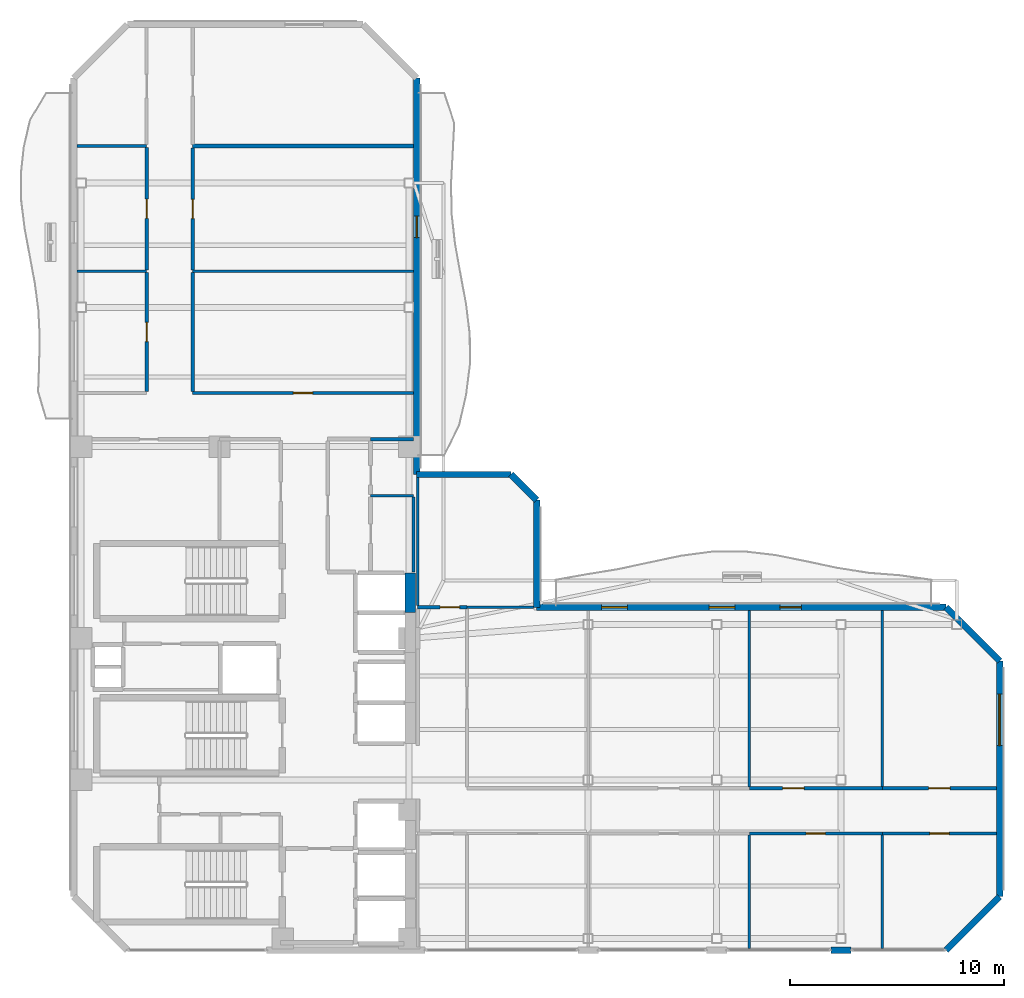
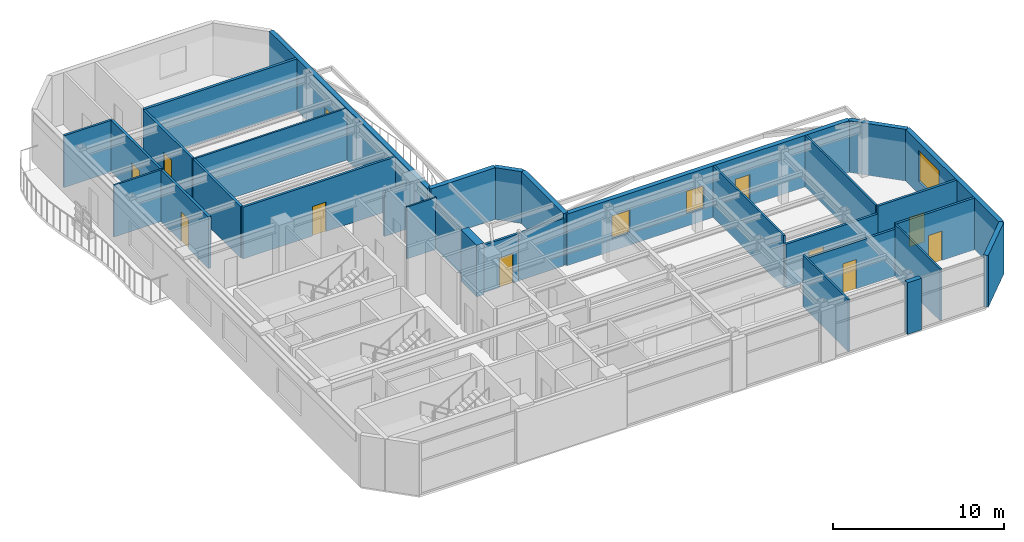
# One storey, part 11 of 16: 33 walls, 11 doors, 3 windows, 14 openings.
"""IFC4 building model written with IfcOpenShell, lengths in metres."""

from ifc_helpers import new_model, si_unit, direction, frame, frame_2d, origin, place, context, subcontext, project, spatial, rectangle, extrude, material, layer, layer_set, type_object, element, fill, save


model = new_model("IFC4")

# Units and contexts
model_context = context("Model", 3, precision=1e-05, world=origin(), true_north=direction((0.0, 1.0)))
body_context = subcontext(model_context, "Body", "Model", "MODEL_VIEW")
ifc_project = project(units=[si_unit("LENGTHUNIT", "METRE"), si_unit("AREAUNIT", "SQUARE_METRE"), si_unit("VOLUMEUNIT", "CUBIC_METRE"), si_unit("PLANEANGLEUNIT", "RADIAN"), si_unit("MASSUNIT", "GRAM", prefix="KILO")], contexts=[model_context])

# Site, building, storey
site_placement = place(None, origin())
site = spatial("IfcSite", under=ifc_project, at=site_placement, CompositionType="ELEMENT")
building_placement = place(site_placement, origin())
building = spatial("IfcBuilding", under=site, at=building_placement, Name="Mawjaban Terraces University", CompositionType="ELEMENT")
storey_placement = place(building_placement, frame((0.0, 0.0, 230.39990234375)))
storey = spatial("IfcBuildingStorey", under=building, at=storey_placement, Name="L56", CompositionType="ELEMENT", Elevation=230.39990234375)

# Walls
ifc_material_1 = material(Name="Acoustic masonry blockwork", Category="masonry")
ifc_layer_1 = layer(ifc_material_1, 0.179931640625)
ifc_layer_set_1 = layer_set([ifc_layer_1], Name="Acoustic masonry blockwork")
wall_type_1 = type_object("IfcWallType", Name="AcousticStudioWall_180", PredefinedType="PARTITIONING", material=ifc_layer_set_1)
wall_1_placement = place(storey_placement, frame((37.85009765625, 37.52001953125, 0.0), z_axis=(0.0, 0.0, 1.0), x_axis=(-1.0, 0.0, 0.0)))
element("IfcWall", 1, at=wall_1_placement, inside=storey, type_object=wall_type_1, Name="L56 Reading Salon 13 Partition 18", PredefinedType="PARTITIONING", context=body_context, shape_type="SweptSolid", body=[
    extrude(rectangle(XDim=10.300048828125, YDim=0.179931640625, at=frame_2d((5.14990234375, 0.0))), origin(), (0.0, 0.0, 1.0), 3.690185546875),
])
ifc_material_2 = material(Name="Concrete C60/75", Category="concrete")
ifc_layer_2 = layer(ifc_material_2, 0.5)
ifc_layer_set_2 = layer_set([ifc_layer_2], Name="Concrete C60/75")
wall_type_2 = type_object("IfcWallType", Name="CoreShearWall_500", PredefinedType="SHEAR", material=ifc_layer_set_2)
wall_2_placement = place(storey_placement, frame((37.699951171875, 15.75, 0.0), z_axis=(0.0, 0.0, 1.0), x_axis=(0.0, 1.0, 0.0)))
element("IfcWall", 2, at=wall_2_placement, inside=storey, type_object=wall_type_2, Name="L56 Lift OL-2 Hoistway Wall East", PredefinedType="SHEAR", context=body_context, shape_type="SweptSolid", body=[
    extrude(rectangle(XDim=1.85009765625, YDim=0.5, at=frame_2d((0.925048828125, 0.0))), origin(), (0.0, 0.0, 1.0), 3.690185546875),
])
ifc_material_3 = material(Name="Fire-rated gypsum board on steel stud", Category="steel")
ifc_layer_3 = layer(ifc_material_3, 0.159912109375)
ifc_layer_set_3 = layer_set([ifc_layer_3], Name="Fire-rated gypsum board on steel stud")
wall_type_3 = type_object("IfcWallType", Name="CorridorPartition_160", PredefinedType="PARTITIONING", material=ifc_layer_set_3)
wall_3_placement = place(storey_placement, frame((37.85009765625, 23.85009765625, 0.0), z_axis=(0.0, 0.0, 1.0), x_axis=(-1.0, 0.0, 0.0)))
element("IfcWall", 3, at=wall_3_placement, inside=storey, type_object=wall_type_3, Name="L56 Graduate Quiet Study Alcove Partition 15", PredefinedType="PARTITIONING", context=body_context, shape_type="SweptSolid", body=[
    extrude(rectangle(XDim=2.0, YDim=0.159912109375, at=frame_2d((1.0, 0.0))), origin(), (0.0, 0.0, 1.0), 3.13916015625),
])

# Wall, opening, door
wall_4_placement = place(storey_placement, frame((37.85009765625, 26.0, 0.0), z_axis=(0.0, 0.0, 1.0), x_axis=(-1.0, 0.0, 0.0)))
wall_4 = element("IfcWall", 4, at=wall_4_placement, inside=storey, type_object=wall_type_3, Name="L56 North Core Cross-Corridor Partition 16", PredefinedType="PARTITIONING", context=body_context, shape_type="SweptSolid", body=[
    extrude(rectangle(XDim=10.300048828125, YDim=0.159912109375, at=frame_2d((5.14990234375, 0.0))), origin(), (0.0, 0.0, 1.0), 3.690185546875),
])
opening_1_placement = place(wall_4_placement, frame((4.699951171875, 0.0, 0.0)))
opening_1 = element("IfcOpeningElement", 5, at=opening_1_placement, cuts=wall_4, Name="Opening ID-090", PredefinedType="OPENING", context=body_context, shape_type="SweptSolid", body=[
    extrude(rectangle(XDim=0.89990234375, YDim=2.10009765625, at=frame_2d((0.449951171875, 1.050048828125))), frame((0.0, 0.08984375, 0.0), z_axis=(0.0, -1.0, 0.0), x_axis=(1.0, 0.0, 0.0)), (0.0, 0.0, 1.0), 0.179931640625),
])
ifc_material_4 = material(Name="Powder-coated steel frame and solid acoustic timber leaf", Category="steel")
door_type_1 = type_object("IfcDoorType", Name="OfficeDoor_900x2100", OperationType="NOTDEFINED", PredefinedType="DOOR", material=ifc_material_4)
door_1_placement = place(opening_1_placement, origin())
door_1 = element("IfcDoor", 6, at=door_1_placement, inside=storey, type_object=door_type_1, Name="L56 Student Tea Pantry 11 Door", OperationType="SINGLE_SWING_RIGHT", OverallHeight=2.10009765625, OverallWidth=0.89990234375, PredefinedType="DOOR", context=body_context, shape_type="SweptSolid", body=[
    extrude(rectangle(XDim=0.89990234375, YDim=2.10009765625, at=frame_2d((0.449951171875, 1.050048828125))), frame((0.0, 0.02490234375, 0.0), z_axis=(0.0, -1.0, 0.0), x_axis=(1.0, 0.0, 0.0)), (0.0, 0.0, 1.0), 0.050048828125),
])
fill(opening_1, door_1)

wall_5_placement = place(storey_placement, frame((40.35009765625, 16.0, 0.0), z_axis=(0.0, 0.0, 1.0), x_axis=(-1.0, 0.0, 0.0)))
wall_5 = element("IfcWall", 7, at=wall_5_placement, inside=storey, type_object=wall_type_3, Name="L56 South Spine Spur Link Partition 21", PredefinedType="PARTITIONING", context=body_context, shape_type="SweptSolid", body=[
    extrude(rectangle(XDim=2.300048828125, YDim=0.159912109375, at=frame_2d((1.14990234375, 0.0))), origin(), (0.0, 0.0, 1.0), 3.39013671875),
])
opening_2_placement = place(wall_5_placement, frame((0.35009765625, 0.0, 0.0)))
opening_2 = element("IfcOpeningElement", 8, at=opening_2_placement, cuts=wall_5, Name="Opening ID-090", PredefinedType="OPENING", context=body_context, shape_type="SweptSolid", body=[
    extrude(rectangle(XDim=0.89990234375, YDim=2.10009765625, at=frame_2d((0.449951171875, 1.050048828125))), frame((0.0, 0.08984375, 0.0), z_axis=(0.0, -1.0, 0.0), x_axis=(1.0, 0.0, 0.0)), (0.0, 0.0, 1.0), 0.179931640625),
])
door_2_placement = place(opening_2_placement, origin())
door_2 = element("IfcDoor", 9, at=door_2_placement, inside=storey, type_object=door_type_1, Name="L56 Terrace Collaborative Study Room Door", OperationType="SINGLE_SWING_LEFT", OverallHeight=2.10009765625, OverallWidth=0.89990234375, PredefinedType="DOOR", context=body_context, shape_type="SweptSolid", body=[
    extrude(rectangle(XDim=0.89990234375, YDim=2.10009765625, at=frame_2d((0.449951171875, 1.050048828125))), frame((0.0, 0.02490234375, 0.0), z_axis=(0.0, -1.0, 0.0), x_axis=(1.0, 0.0, 0.0)), (0.0, 0.0, 1.0), 0.050048828125),
])
fill(opening_2, door_2)

wall_6_placement = place(storey_placement, frame((53.52001953125, 5.449951171875, 0.0), z_axis=(0.0, 0.0, 1.0), x_axis=(1.0, 0.0, 0.0)))
wall_6 = element("IfcWall", 10, at=wall_6_placement, inside=storey, type_object=wall_type_3, Name="L56 South Shifted Academic Corridor Partition 25", PredefinedType="PARTITIONING", context=body_context, shape_type="SweptSolid", body=[
    extrude(rectangle(XDim=6.2099609375, YDim=0.159912109375, at=frame_2d((3.10498046875, 0.0))), origin(), (0.0, 0.0, 1.0), 3.343017578125),
])
opening_3_placement = place(wall_6_placement, frame((2.655029296875, 0.0, 0.0)))
opening_3 = element("IfcOpeningElement", 11, at=opening_3_placement, cuts=wall_6, Name="Opening ID-090", PredefinedType="OPENING", context=body_context, shape_type="SweptSolid", body=[
    extrude(rectangle(XDim=0.89990234375, YDim=2.10009765625, at=frame_2d((0.449951171875, 1.050048828125))), frame((0.0, 0.08984375, 0.0), z_axis=(0.0, -1.0, 0.0), x_axis=(1.0, 0.0, 0.0)), (0.0, 0.0, 1.0), 0.179931640625),
])
door_3_placement = place(opening_3_placement, origin())
door_3 = element("IfcDoor", 12, at=door_3_placement, inside=storey, type_object=door_type_1, Name="L56 Conference Room 6 Door", OperationType="SINGLE_SWING_LEFT", OverallHeight=2.10009765625, OverallWidth=0.89990234375, PredefinedType="DOOR", context=body_context, shape_type="SweptSolid", body=[
    extrude(rectangle(XDim=0.89990234375, YDim=2.10009765625, at=frame_2d((0.449951171875, 1.050048828125))), frame((0.0, 0.02490234375, 0.0), z_axis=(0.0, -1.0, 0.0), x_axis=(1.0, 0.0, 0.0)), (0.0, 0.0, 1.0), 0.050048828125),
])
fill(opening_3, door_3)

wall_7_placement = place(storey_placement, frame((59.72998046875, 5.449951171875, 0.0), z_axis=(0.0, 0.0, 1.0), x_axis=(1.0, 0.0, 0.0)))
wall_7 = element("IfcWall", 13, at=wall_7_placement, inside=storey, type_object=wall_type_3, Name="L56 South Shifted Academic Corridor Partition 27", PredefinedType="PARTITIONING", context=body_context, shape_type="SweptSolid", body=[
    extrude(rectangle(XDim=5.324951171875, YDim=0.159912109375, at=frame_2d((2.66259765625, 0.0))), origin(), (0.0, 0.0, 1.0), 3.690185546875),
])
opening_4_placement = place(wall_7_placement, frame((2.212890625, 0.0, 0.0)))
opening_4 = element("IfcOpeningElement", 14, at=opening_4_placement, cuts=wall_7, Name="Opening ID-090", PredefinedType="OPENING", context=body_context, shape_type="SweptSolid", body=[
    extrude(rectangle(XDim=0.89990234375, YDim=2.10009765625, at=frame_2d((0.449951171875, 1.050048828125))), frame((0.0, 0.08984375, 0.0), z_axis=(0.0, -1.0, 0.0), x_axis=(1.0, 0.0, 0.0)), (0.0, 0.0, 1.0), 0.179931640625),
])
door_4_placement = place(opening_4_placement, origin())
door_4 = element("IfcDoor", 15, at=door_4_placement, inside=storey, type_object=door_type_1, Name="L56 Seminar Room 8 Door", OperationType="SINGLE_SWING_LEFT", OverallHeight=2.10009765625, OverallWidth=0.89990234375, PredefinedType="DOOR", context=body_context, shape_type="SweptSolid", body=[
    extrude(rectangle(XDim=0.89990234375, YDim=2.10009765625, at=frame_2d((0.449951171875, 1.050048828125))), frame((0.0, 0.02490234375, 0.0), z_axis=(0.0, -1.0, 0.0), x_axis=(1.0, 0.0, 0.0)), (0.0, 0.0, 1.0), 0.050048828125),
])
fill(opening_4, door_4)

wall_8_placement = place(storey_placement, frame((59.72998046875, 7.550048828125, 0.0), z_axis=(0.0, 0.0, 1.0), x_axis=(-1.0, 0.0, 0.0)))
wall_8 = element("IfcWall", 16, at=wall_8_placement, inside=storey, type_object=wall_type_3, Name="L56 South Shifted Academic Corridor Partition 28", PredefinedType="PARTITIONING", context=body_context, shape_type="SweptSolid", body=[
    extrude(rectangle(XDim=6.2099609375, YDim=0.159912109375, at=frame_2d((3.10498046875, 0.0))), origin(), (0.0, 0.0, 1.0), 3.13916015625),
])
opening_5_placement = place(wall_8_placement, frame((3.655029296875, 0.0, 0.0)))
opening_5 = element("IfcOpeningElement", 17, at=opening_5_placement, cuts=wall_8, Name="Opening ID-100", PredefinedType="OPENING", context=body_context, shape_type="SweptSolid", body=[
    extrude(rectangle(XDim=1.0, YDim=2.10009765625, at=frame_2d((0.5, 1.050048828125))), frame((0.0, 0.08984375, 0.0), z_axis=(0.0, -1.0, 0.0), x_axis=(1.0, 0.0, 0.0)), (0.0, 0.0, 1.0), 0.179931640625),
])
door_type_2 = type_object("IfcDoorType", Name="ClassroomDoor_1000x2100", OperationType="NOTDEFINED", PredefinedType="DOOR", material=ifc_material_4)
door_5_placement = place(opening_5_placement, origin())
door_5 = element("IfcDoor", 18, at=door_5_placement, inside=storey, type_object=door_type_2, Name="L56 Classroom 7 Door", OperationType="SINGLE_SWING_RIGHT", OverallHeight=2.10009765625, OverallWidth=1.0, PredefinedType="DOOR", context=body_context, shape_type="SweptSolid", body=[
    extrude(rectangle(XDim=1.0, YDim=2.10009765625, at=frame_2d((0.5, 1.050048828125))), frame((0.0, 0.02490234375, 0.0), z_axis=(0.0, -1.0, 0.0), x_axis=(1.0, 0.0, 0.0)), (0.0, 0.0, 1.0), 0.050048828125),
])
fill(opening_5, door_5)

wall_9_placement = place(storey_placement, frame((65.054931640625, 7.550048828125, 0.0), z_axis=(0.0, 0.0, 1.0), x_axis=(-1.0, 0.0, 0.0)))
wall_9 = element("IfcWall", 19, at=wall_9_placement, inside=storey, type_object=wall_type_3, Name="L56 South Shifted Academic Corridor Partition 29", PredefinedType="PARTITIONING", context=body_context, shape_type="SweptSolid", body=[
    extrude(rectangle(XDim=5.324951171875, YDim=0.159912109375, at=frame_2d((2.66259765625, 0.0))), origin(), (0.0, 0.0, 1.0), 3.690185546875),
])
opening_6_placement = place(wall_9_placement, frame((2.1630859375, 0.0, 0.0)))
opening_6 = element("IfcOpeningElement", 20, at=opening_6_placement, cuts=wall_9, Name="Opening ID-100", PredefinedType="OPENING", context=body_context, shape_type="SweptSolid", body=[
    extrude(rectangle(XDim=1.0, YDim=2.10009765625, at=frame_2d((0.5, 1.050048828125))), frame((0.0, 0.08984375, 0.0), z_axis=(0.0, -1.0, 0.0), x_axis=(1.0, 0.0, 0.0)), (0.0, 0.0, 1.0), 0.179931640625),
])
door_6_placement = place(opening_6_placement, origin())
door_6 = element("IfcDoor", 21, at=door_6_placement, inside=storey, type_object=door_type_2, Name="L56 Tutorial Room 9 Door", OperationType="SINGLE_SWING_RIGHT", OverallHeight=2.10009765625, OverallWidth=1.0, PredefinedType="DOOR", context=body_context, shape_type="SweptSolid", body=[
    extrude(rectangle(XDim=1.0, YDim=2.10009765625, at=frame_2d((0.5, 1.050048828125))), frame((0.0, 0.02490234375, 0.0), z_axis=(0.0, -1.0, 0.0), x_axis=(1.0, 0.0, 0.0)), (0.0, 0.0, 1.0), 0.050048828125),
])
fill(opening_6, door_6)

wall_10_placement = place(storey_placement, frame((25.39990234375, 31.6220703125, 0.0), z_axis=(0.0, 0.0, 1.0), x_axis=(0.0, -1.0, 0.0)))
wall_10 = element("IfcWall", 22, at=wall_10_placement, inside=storey, type_object=wall_type_3, Name="L56 West Shifted Academic Corridor Partition 31", PredefinedType="PARTITIONING", context=body_context, shape_type="SweptSolid", body=[
    extrude(rectangle(XDim=5.547119140625, YDim=0.159912109375, at=frame_2d((2.7734375, 0.0))), origin(), (0.0, 0.0, 1.0), 3.690185546875),
])
opening_7_placement = place(wall_10_placement, frame((2.323974609375, 0.0, 0.0)))
opening_7 = element("IfcOpeningElement", 23, at=opening_7_placement, cuts=wall_10, Name="Opening ID-090", PredefinedType="OPENING", context=body_context, shape_type="SweptSolid", body=[
    extrude(rectangle(XDim=0.89990234375, YDim=2.10009765625, at=frame_2d((0.449951171875, 1.050048828125))), frame((0.0, 0.08984375, 0.0), z_axis=(0.0, -1.0, 0.0), x_axis=(1.0, 0.0, 0.0)), (0.0, 0.0, 1.0), 0.179931640625),
])
door_7_placement = place(opening_7_placement, origin())
door_7 = element("IfcDoor", 24, at=door_7_placement, inside=storey, type_object=door_type_1, Name="L56 Student Tea Pantry 10 Door", OperationType="SINGLE_SWING_LEFT", OverallHeight=2.10009765625, OverallWidth=0.89990234375, PredefinedType="DOOR", context=body_context, shape_type="SweptSolid", body=[
    extrude(rectangle(XDim=0.89990234375, YDim=2.10009765625, at=frame_2d((0.449951171875, 1.050048828125))), frame((0.0, 0.02490234375, 0.0), z_axis=(0.0, -1.0, 0.0), x_axis=(1.0, 0.0, 0.0)), (0.0, 0.0, 1.0), 0.050048828125),
])
fill(opening_7, door_7)

wall_11_placement = place(storey_placement, frame((25.39990234375, 37.452880859375, 0.0), z_axis=(0.0, 0.0, 1.0), x_axis=(0.0, -1.0, 0.0)))
wall_11 = element("IfcWall", 25, at=wall_11_placement, inside=storey, type_object=wall_type_3, Name="L56 West Shifted Academic Corridor Partition 32", PredefinedType="PARTITIONING", context=body_context, shape_type="SweptSolid", body=[
    extrude(rectangle(XDim=5.71484375, YDim=0.159912109375, at=frame_2d((2.857421875, 0.0))), origin(), (0.0, 0.0, 1.0), 3.690185546875),
])
opening_8_placement = place(wall_11_placement, frame((2.407958984375, 0.0, 0.0)))
opening_8 = element("IfcOpeningElement", 26, at=opening_8_placement, cuts=wall_11, Name="Opening ID-090", PredefinedType="OPENING", context=body_context, shape_type="SweptSolid", body=[
    extrude(rectangle(XDim=0.89990234375, YDim=2.10009765625, at=frame_2d((0.449951171875, 1.050048828125))), frame((0.0, 0.08984375, 0.0), z_axis=(0.0, -1.0, 0.0), x_axis=(1.0, 0.0, 0.0)), (0.0, 0.0, 1.0), 0.179931640625),
])
door_8_placement = place(opening_8_placement, origin())
door_8 = element("IfcDoor", 27, at=door_8_placement, inside=storey, type_object=door_type_1, Name="L56 Quiet Reading Room 12 Door", OperationType="SINGLE_SWING_LEFT", OverallHeight=2.10009765625, OverallWidth=0.89990234375, PredefinedType="DOOR", context=body_context, shape_type="SweptSolid", body=[
    extrude(rectangle(XDim=0.89990234375, YDim=2.10009765625, at=frame_2d((0.449951171875, 1.050048828125))), frame((0.0, 0.02490234375, 0.0), z_axis=(0.0, -1.0, 0.0), x_axis=(1.0, 0.0, 0.0)), (0.0, 0.0, 1.0), 0.050048828125),
])
fill(opening_8, door_8)

# Wall
wall_12_placement = place(storey_placement, frame((27.550048828125, 26.074951171875, 0.0), z_axis=(0.0, 0.0, 1.0), x_axis=(0.0, 1.0, 0.0)))
element("IfcWall", 28, at=wall_12_placement, inside=storey, type_object=wall_type_3, Name="L56 West Shifted Academic Corridor Partition 36", PredefinedType="PARTITIONING", context=body_context, shape_type="SweptSolid", body=[
    extrude(rectangle(XDim=5.547119140625, YDim=0.159912109375, at=frame_2d((2.7734375, 0.0))), origin(), (0.0, 0.0, 1.0), 3.690185546875),
])

# Wall, opening, door
wall_13_placement = place(storey_placement, frame((27.550048828125, 31.738037109375, 0.0), z_axis=(0.0, 0.0, 1.0), x_axis=(0.0, 1.0, 0.0)))
wall_13 = element("IfcWall", 29, at=wall_13_placement, inside=storey, type_object=wall_type_3, Name="L56 West Shifted Academic Corridor Partition 37", PredefinedType="PARTITIONING", context=body_context, shape_type="SweptSolid", body=[
    extrude(rectangle(XDim=5.697021484375, YDim=0.159912109375, at=frame_2d((2.8486328125, 0.0))), origin(), (0.0, 0.0, 1.0), 3.690185546875),
])
opening_9_placement = place(wall_13_placement, frame((2.39892578125, 0.0, 0.0)))
opening_9 = element("IfcOpeningElement", 30, at=opening_9_placement, cuts=wall_13, Name="Opening ID-090", PredefinedType="OPENING", context=body_context, shape_type="SweptSolid", body=[
    extrude(rectangle(XDim=0.89990234375, YDim=2.10009765625, at=frame_2d((0.449951171875, 1.050048828125))), frame((0.0, 0.08984375, 0.0), z_axis=(0.0, -1.0, 0.0), x_axis=(1.0, 0.0, 0.0)), (0.0, 0.0, 1.0), 0.179931640625),
])
door_9_placement = place(opening_9_placement, origin())
door_9 = element("IfcDoor", 31, at=door_9_placement, inside=storey, type_object=door_type_1, Name="L56 Reading Salon 13 Door", OperationType="SINGLE_SWING_RIGHT", OverallHeight=2.10009765625, OverallWidth=0.89990234375, PredefinedType="DOOR", context=body_context, shape_type="SweptSolid", body=[
    extrude(rectangle(XDim=0.89990234375, YDim=2.10009765625, at=frame_2d((0.449951171875, 1.050048828125))), frame((0.0, 0.02490234375, 0.0), z_axis=(0.0, -1.0, 0.0), x_axis=(1.0, 0.0, 0.0)), (0.0, 0.0, 1.0), 0.050048828125),
])
fill(opening_9, door_9)

# Walls
ifc_material_5 = material(Name="Insulated terracotta rainscreen on concrete backup C40/50", Category="masonry")
ifc_layer_4 = layer(ifc_material_5, 0.300048828125)
ifc_layer_set_4 = layer_set([ifc_layer_4], Name="Insulated terracotta rainscreen on concrete backup C40/50")
wall_type_4 = type_object("IfcWallType", Name="ExtTerracottaWall_300", PredefinedType="SOLIDWALL", material=ifc_layer_set_4)
wall_14_placement = place(storey_placement, frame((57.324951171875, 0.0, 0.0), z_axis=(0.0, 0.0, 1.0), x_axis=(1.0, 0.0, 0.0)))
element("IfcWall", 32, at=wall_14_placement, inside=storey, type_object=wall_type_4, Name="L56 Exterior Terracotta Pier Wall 1.4", PredefinedType="SOLIDWALL", context=body_context, shape_type="SweptSolid", body=[
    extrude(rectangle(XDim=0.949951171875, YDim=0.300048828125, at=frame_2d((0.47509765625, 0.0))), origin(), (0.0, 0.0, 1.0), 3.690185546875),
])
wall_15_placement = place(storey_placement, frame((62.699951171875, 0.0, 0.0), z_axis=(0.0, 0.0, 1.0), x_axis=(0.707106781187, 0.707106781187, 0.0)))
element("IfcWall", 33, at=wall_15_placement, inside=storey, type_object=wall_type_4, Name="L56 Exterior Terracotta Wall 2", PredefinedType="SOLIDWALL", context=body_context, shape_type="SweptSolid", body=[
    extrude(rectangle(XDim=3.53564453125, YDim=0.300048828125, at=frame_2d((1.767822265625, 0.0))), origin(), (0.0, 0.0, 1.0), 3.690185546875),
])

# Wall, opening, window
wall_16_placement = place(storey_placement, frame((65.199951171875, 2.5, 0.0), z_axis=(0.0, 0.0, 1.0), x_axis=(0.0, 1.0, 0.0)))
wall_16 = element("IfcWall", 34, at=wall_16_placement, inside=storey, type_object=wall_type_4, Name="L56 Exterior Terracotta Wall 3", PredefinedType="SOLIDWALL", context=body_context, shape_type="SweptSolid", body=[
    extrude(rectangle(XDim=11.0, YDim=0.300048828125, at=frame_2d((5.5, 0.0))), origin(), (0.0, 0.0, 1.0), 3.690185546875),
])
opening_10_placement = place(wall_16_placement, frame((7.050048828125, 0.0, 0.89990234375)))
opening_10 = element("IfcOpeningElement", 35, at=opening_10_placement, cuts=wall_16, Name="Opening W-11", PredefinedType="OPENING", context=body_context, shape_type="SweptSolid", body=[
    extrude(rectangle(XDim=2.39990234375, YDim=2.199951171875, at=frame_2d((1.199951171875, 1.10009765625))), frame((0.0, 0.159912109375, 0.0), z_axis=(0.0, -1.0, 0.0), x_axis=(1.0, 0.0, 0.0)), (0.0, 0.0, 1.0), 0.320068359375),
])
ifc_material_6 = material(Name="Low-E solar-control double glazing in thermally broken aluminium frame", Category="aluminium")
window_type_1 = type_object("IfcWindowType", Name="Win_2400x2200", PartitioningType="SINGLE_PANEL", PredefinedType="WINDOW", material=ifc_material_6)
window_1_placement = place(opening_10_placement, origin())
window_1 = element("IfcWindow", 36, at=window_1_placement, inside=storey, type_object=window_type_1, Name="L56 Facade Window 3.2", OverallHeight=2.199951171875, OverallWidth=2.39990234375, PartitioningType="SINGLE_PANEL", PredefinedType="WINDOW", context=body_context, shape_type="SweptSolid", body=[
    extrude(rectangle(XDim=2.39990234375, YDim=2.199951171875, at=frame_2d((1.199951171875, 1.10009765625))), frame((0.0, 0.030029296875, 0.0), z_axis=(0.0, -1.0, 0.0), x_axis=(1.0, 0.0, 0.0)), (0.0, 0.0, 1.0), 0.06005859375),
])
fill(opening_10, window_1)

# Wall
wall_17_placement = place(storey_placement, frame((65.199951171875, 13.5, 0.0), z_axis=(0.0, 0.0, 1.0), x_axis=(-0.707106781187, 0.707106781187, 0.0)))
element("IfcWall", 37, at=wall_17_placement, inside=storey, type_object=wall_type_4, Name="L56 Exterior Terracotta Wall 4", PredefinedType="SOLIDWALL", context=body_context, shape_type="SweptSolid", body=[
    extrude(rectangle(XDim=3.53564453125, YDim=0.300048828125, at=frame_2d((1.767822265625, 0.0))), origin(), (0.0, 0.0, 1.0), 3.690185546875),
])

# Wall, openings, door, windows
wall_18_placement = place(storey_placement, frame((62.699951171875, 16.0, 0.0), z_axis=(0.0, 0.0, 1.0), x_axis=(-1.0, 0.0, 0.0)))
wall_18 = element("IfcWall", 38, at=wall_18_placement, inside=storey, type_object=wall_type_4, Name="L56 Exterior Terracotta Wall 5", PredefinedType="SOLIDWALL", context=body_context, shape_type="SweptSolid", body=[
    extrude(rectangle(XDim=19.099853515625, YDim=0.300048828125, at=frame_2d((9.5498046875, 0.0))), origin(), (0.0, 0.0, 1.0), 3.690185546875),
])
opening_11_placement = place(wall_18_placement, frame((6.75, 0.0, 0.0)))
opening_11 = element("IfcOpeningElement", 39, at=opening_11_placement, cuts=wall_18, Name="Opening BD-100", PredefinedType="OPENING", context=body_context, shape_type="SweptSolid", body=[
    extrude(rectangle(XDim=1.0, YDim=2.199951171875, at=frame_2d((0.5, 1.10009765625))), frame((0.0, 0.159912109375, 0.0), z_axis=(0.0, -1.0, 0.0), x_axis=(1.0, 0.0, 0.0)), (0.0, 0.0, 1.0), 0.320068359375),
])
opening_12_placement = place(wall_18_placement, frame((9.85009765625, 0.0, 0.89990234375)))
opening_12 = element("IfcOpeningElement", 40, at=opening_12_placement, cuts=wall_18, Name="Opening W-01", PredefinedType="OPENING", context=body_context, shape_type="SweptSolid", body=[
    extrude(rectangle(XDim=1.199951171875, YDim=1.60009765625, at=frame_2d((0.60009765625, 0.800048828125))), frame((0.0, 0.159912109375, 0.0), z_axis=(0.0, -1.0, 0.0), x_axis=(1.0, 0.0, 0.0)), (0.0, 0.0, 1.0), 0.320068359375),
])
opening_13_placement = place(wall_18_placement, frame((14.866943359375, 0.0, 0.89990234375)))
opening_13 = element("IfcOpeningElement", 41, at=opening_13_placement, cuts=wall_18, Name="Opening W-01", PredefinedType="OPENING", context=body_context, shape_type="SweptSolid", body=[
    extrude(rectangle(XDim=1.199951171875, YDim=1.60009765625, at=frame_2d((0.60009765625, 0.800048828125))), frame((0.0, 0.159912109375, 0.0), z_axis=(0.0, -1.0, 0.0), x_axis=(1.0, 0.0, 0.0)), (0.0, 0.0, 1.0), 0.320068359375),
])
ifc_material_7 = material(Name="Thermally broken anodised aluminium and laminated safety glass", Category="aluminium")
door_type_3 = type_object("IfcDoorType", Name="BalconyGlazedDoor_1000x2200", OperationType="NOTDEFINED", PredefinedType="DOOR", material=ifc_material_7)
door_10_placement = place(opening_11_placement, origin())
door_10 = element("IfcDoor", 42, at=door_10_placement, inside=storey, type_object=door_type_3, Name="L56 Balcony Access Door inner_north", OperationType="SINGLE_SWING_LEFT", OverallHeight=2.199951171875, OverallWidth=1.0, PredefinedType="DOOR", context=body_context, shape_type="SweptSolid", body=[
    extrude(rectangle(XDim=1.0, YDim=2.199951171875, at=frame_2d((0.5, 1.10009765625))), frame((0.0, 0.02490234375, 0.0), z_axis=(0.0, -1.0, 0.0), x_axis=(1.0, 0.0, 0.0)), (0.0, 0.0, 1.0), 0.050048828125),
])
fill(opening_11, door_10)
window_type_2 = type_object("IfcWindowType", Name="Win_1200x1600", PartitioningType="SINGLE_PANEL", PredefinedType="WINDOW", material=ifc_material_6)
window_2_placement = place(opening_12_placement, origin())
window_2 = element("IfcWindow", 43, at=window_2_placement, inside=storey, type_object=window_type_2, Name="L56 Facade Window 5.2", OverallHeight=1.60009765625, OverallWidth=1.199951171875, PartitioningType="SINGLE_PANEL", PredefinedType="WINDOW", context=body_context, shape_type="SweptSolid", body=[
    extrude(rectangle(XDim=1.199951171875, YDim=1.60009765625, at=frame_2d((0.60009765625, 0.800048828125))), frame((0.0, 0.030029296875, 0.0), z_axis=(0.0, -1.0, 0.0), x_axis=(1.0, 0.0, 0.0)), (0.0, 0.0, 1.0), 0.06005859375),
])
fill(opening_12, window_2)
window_3_placement = place(opening_13_placement, origin())
window_3 = element("IfcWindow", 44, at=window_3_placement, inside=storey, type_object=window_type_2, Name="L56 Facade Window 5.3", OverallHeight=1.60009765625, OverallWidth=1.199951171875, PartitioningType="SINGLE_PANEL", PredefinedType="WINDOW", context=body_context, shape_type="SweptSolid", body=[
    extrude(rectangle(XDim=1.199951171875, YDim=1.60009765625, at=frame_2d((0.60009765625, 0.800048828125))), frame((0.0, 0.030029296875, 0.0), z_axis=(0.0, -1.0, 0.0), x_axis=(1.0, 0.0, 0.0)), (0.0, 0.0, 1.0), 0.06005859375),
])
fill(opening_13, window_3)

# Walls
wall_19_placement = place(storey_placement, frame((43.60009765625, 16.0, 0.0), z_axis=(0.0, 0.0, 1.0), x_axis=(0.0, 1.0, 0.0)))
element("IfcWall", 45, at=wall_19_placement, inside=storey, type_object=wall_type_4, Name="L56 Exterior Terracotta Wall 6", PredefinedType="SOLIDWALL", context=body_context, shape_type="SweptSolid", body=[
    extrude(rectangle(XDim=5.0, YDim=0.300048828125, at=frame_2d((2.5, 0.0))), origin(), (0.0, 0.0, 1.0), 3.690185546875),
])
wall_20_placement = place(storey_placement, frame((43.60009765625, 21.0, 0.0), z_axis=(0.0, 0.0, 1.0), x_axis=(-0.707178703759, 0.707034851297, 0.0)))
element("IfcWall", 46, at=wall_20_placement, inside=storey, type_object=wall_type_4, Name="L56 Exterior Terracotta Wall 7", PredefinedType="SOLIDWALL", context=body_context, shape_type="SweptSolid", body=[
    extrude(rectangle(XDim=1.697265625, YDim=0.300048828125, at=frame_2d((0.8486328125, 0.0))), origin(), (0.0, 0.0, 1.0), 3.690185546875),
])
wall_21_placement = place(storey_placement, frame((42.39990234375, 22.199951171875, 0.0), z_axis=(0.0, 0.0, 1.0), x_axis=(-1.0, 0.0, 0.0)))
element("IfcWall", 47, at=wall_21_placement, inside=storey, type_object=wall_type_4, Name="L56 Exterior Terracotta Wall 8", PredefinedType="SOLIDWALL", context=body_context, shape_type="SweptSolid", body=[
    extrude(rectangle(XDim=4.39990234375, YDim=0.300048828125, at=frame_2d((2.199951171875, 0.0))), origin(), (0.0, 0.0, 1.0), 3.690185546875),
])

# Wall, opening, door
wall_22_placement = place(storey_placement, frame((38.0, 22.199951171875, 0.0), z_axis=(0.0, 0.0, 1.0), x_axis=(0.0, 1.0, 0.0)))
wall_22 = element("IfcWall", 48, at=wall_22_placement, inside=storey, type_object=wall_type_4, Name="L56 Exterior Terracotta Wall 9", PredefinedType="SOLIDWALL", context=body_context, shape_type="SweptSolid", body=[
    extrude(rectangle(XDim=18.5, YDim=0.300048828125, at=frame_2d((9.25, 0.0))), origin(), (0.0, 0.0, 1.0), 3.690185546875),
])
opening_14_placement = place(wall_22_placement, frame((11.050048828125, 0.0, 0.0)))
opening_14 = element("IfcOpeningElement", 49, at=opening_14_placement, cuts=wall_22, Name="Opening BD-100", PredefinedType="OPENING", context=body_context, shape_type="SweptSolid", body=[
    extrude(rectangle(XDim=1.0, YDim=2.199951171875, at=frame_2d((0.5, 1.10009765625))), frame((0.0, 0.159912109375, 0.0), z_axis=(0.0, -1.0, 0.0), x_axis=(1.0, 0.0, 0.0)), (0.0, 0.0, 1.0), 0.320068359375),
])
door_11_placement = place(opening_14_placement, origin())
door_11 = element("IfcDoor", 50, at=door_11_placement, inside=storey, type_object=door_type_3, Name="L56 Balcony Access Door inner_east", OperationType="SINGLE_SWING_LEFT", OverallHeight=2.199951171875, OverallWidth=1.0, PredefinedType="DOOR", context=body_context, shape_type="SweptSolid", body=[
    extrude(rectangle(XDim=1.0, YDim=2.199951171875, at=frame_2d((0.5, 1.10009765625))), frame((0.0, 0.02490234375, 0.0), z_axis=(0.0, -1.0, 0.0), x_axis=(1.0, 0.0, 0.0)), (0.0, 0.0, 1.0), 0.050048828125),
])
fill(opening_14, door_11)

# Walls
ifc_material_8 = material(Name="Moisture-resistant gypsum board on steel stud", Category="steel")
ifc_layer_5 = layer(ifc_material_8, 0.14501953125)
ifc_layer_set_5 = layer_set([ifc_layer_5], Name="Moisture-resistant gypsum board on steel stud")
wall_type_5 = type_object("IfcWallType", Name="LabPartition_145", PredefinedType="PARTITIONING", material=ifc_layer_set_5)
wall_23_placement = place(storey_placement, frame((25.39990234375, 37.52001953125, 0.0), z_axis=(0.0, 0.0, 1.0), x_axis=(-1.0, 0.0, 0.0)))
element("IfcWall", 51, at=wall_23_placement, inside=storey, type_object=wall_type_5, Name="L56 Quiet Reading Room 12 Partition 5", PredefinedType="PARTITIONING", context=body_context, shape_type="SweptSolid", body=[
    extrude(rectangle(XDim=3.2548828125, YDim=0.14501953125, at=frame_2d((1.62744140625, 0.0))), origin(), (0.0, 0.0, 1.0), 3.690185546875),
])
ifc_material_9 = material(Name="Gypsum plasterboard on steel stud", Category="steel")
ifc_layer_6 = layer(ifc_material_9, 0.125)
ifc_layer_set_6 = layer_set([ifc_layer_6], Name="Gypsum plasterboard on steel stud")
wall_type_6 = type_object("IfcWallType", Name="OfficePartition_125", PredefinedType="PARTITIONING", material=ifc_layer_set_6)
wall_24_placement = place(storey_placement, frame((25.39990234375, 31.679931640625, 0.0), z_axis=(0.0, 0.0, 1.0), x_axis=(-1.0, 0.0, 0.0)))
element("IfcWall", 52, at=wall_24_placement, inside=storey, type_object=wall_type_6, Name="L56 Student Tea Pantry 10 Partition 4", PredefinedType="PARTITIONING", context=body_context, shape_type="SweptSolid", body=[
    extrude(rectangle(XDim=3.2548828125, YDim=0.125, at=frame_2d((1.62744140625, 0.0))), origin(), (0.0, 0.0, 1.0), 3.690185546875),
])
wall_25_placement = place(storey_placement, frame((35.85009765625, 21.199951171875, 0.0), z_axis=(0.0, 0.0, 1.0), x_axis=(1.0, 0.0, 0.0)))
element("IfcWall", 53, at=wall_25_placement, inside=storey, type_object=wall_type_6, Name="L56 Graduate Quiet Study Alcove Partition 13", PredefinedType="PARTITIONING", context=body_context, shape_type="SweptSolid", body=[
    extrude(rectangle(XDim=2.0, YDim=0.125, at=frame_2d((1.0, 0.0))), origin(), (0.0, 0.0, 1.0), 3.690185546875),
])
wall_26_placement = place(storey_placement, frame((37.85009765625, 31.679931640625, 0.0), z_axis=(0.0, 0.0, 1.0), x_axis=(-1.0, 0.0, 0.0)))
element("IfcWall", 54, at=wall_26_placement, inside=storey, type_object=wall_type_6, Name="L56 Student Tea Pantry 11 Partition 17", PredefinedType="PARTITIONING", context=body_context, shape_type="SweptSolid", body=[
    extrude(rectangle(XDim=10.300048828125, YDim=0.125, at=frame_2d((5.14990234375, 0.0))), origin(), (0.0, 0.0, 1.0), 3.690185546875),
])
wall_27_placement = place(storey_placement, frame((40.35009765625, 16.0, 0.0), z_axis=(0.0, 0.0, 1.0), x_axis=(1.0, 0.0, 0.0)))
element("IfcWall", 55, at=wall_27_placement, inside=storey, type_object=wall_type_6, Name="L56 Terrace Collaborative Study Room Partition 22", PredefinedType="PARTITIONING", context=body_context, shape_type="SweptSolid", body=[
    extrude(rectangle(XDim=3.10498046875, YDim=0.125, at=frame_2d((1.552490234375, 0.0))), origin(), (0.0, 0.0, 1.0), 3.39013671875),
])
wall_28_placement = place(storey_placement, frame((37.85009765625, 17.64990234375, 0.0), z_axis=(0.0, 0.0, 1.0), x_axis=(0.0, 1.0, 0.0)))
element("IfcWall", 56, at=wall_28_placement, inside=storey, type_object=wall_type_6, Name="L56 Research Instrument Store Partition 46", PredefinedType="PARTITIONING", context=body_context, shape_type="SweptSolid", body=[
    extrude(rectangle(XDim=3.4921875, YDim=0.125, at=frame_2d((1.74609375, 0.0))), origin(), (0.0, 0.0, 1.0), 3.13916015625),
])
wall_29_placement = place(storey_placement, frame((38.050048828125, 22.054931640625, 0.0), z_axis=(0.0, 0.0, 1.0), x_axis=(0.0, -1.0, 0.0)))
element("IfcWall", 57, at=wall_29_placement, inside=storey, type_object=wall_type_6, Name="L56 Terrace Collaborative Study Room Partition 50", PredefinedType="PARTITIONING", context=body_context, shape_type="SweptSolid", body=[
    extrude(rectangle(XDim=5.97998046875, YDim=0.125, at=frame_2d((2.989990234375, 0.0))), origin(), (0.0, 0.0, 1.0), 3.13916015625),
])
wall_30_placement = place(storey_placement, frame((53.52001953125, 0.090087890625, 0.0), z_axis=(0.0, 0.0, 1.0), x_axis=(0.0, 1.0, 0.0)))
element("IfcWall", 58, at=wall_30_placement, inside=storey, type_object=wall_type_6, Name="L56 Seminar Room 4 Partition 55", PredefinedType="PARTITIONING", context=body_context, shape_type="SweptSolid", body=[
    extrude(rectangle(XDim=5.284912109375, YDim=0.125, at=frame_2d((2.642578125, 0.0))), origin(), (0.0, 0.0, 1.0), 3.690185546875),
])
wall_31_placement = place(storey_placement, frame((53.52001953125, 7.625, 0.0), z_axis=(0.0, 0.0, 1.0), x_axis=(0.0, 1.0, 0.0)))
element("IfcWall", 59, at=wall_31_placement, inside=storey, type_object=wall_type_6, Name="L56 Tutorial Room 5 Partition 56", PredefinedType="PARTITIONING", context=body_context, shape_type="SweptSolid", body=[
    extrude(rectangle(XDim=8.22998046875, YDim=0.125, at=frame_2d((4.114990234375, 0.0))), origin(), (0.0, 0.0, 1.0), 3.690185546875),
])
wall_32_placement = place(storey_placement, frame((59.72998046875, 0.090087890625, 0.0), z_axis=(0.0, 0.0, 1.0), x_axis=(0.0, 1.0, 0.0)))
element("IfcWall", 60, at=wall_32_placement, inside=storey, type_object=wall_type_6, Name="L56 Conference Room 6 Partition 57", PredefinedType="PARTITIONING", context=body_context, shape_type="SweptSolid", body=[
    extrude(rectangle(XDim=5.284912109375, YDim=0.125, at=frame_2d((2.642578125, 0.0))), origin(), (0.0, 0.0, 1.0), 3.690185546875),
])
wall_33_placement = place(storey_placement, frame((59.72998046875, 7.625, 0.0), z_axis=(0.0, 0.0, 1.0), x_axis=(0.0, 1.0, 0.0)))
element("IfcWall", 61, at=wall_33_placement, inside=storey, type_object=wall_type_6, Name="L56 Classroom 7 Partition 58", PredefinedType="PARTITIONING", context=body_context, shape_type="SweptSolid", body=[
    extrude(rectangle(XDim=8.22998046875, YDim=0.125, at=frame_2d((4.114990234375, 0.0))), origin(), (0.0, 0.0, 1.0), 3.690185546875),
])

save(model, "model.ifc")
